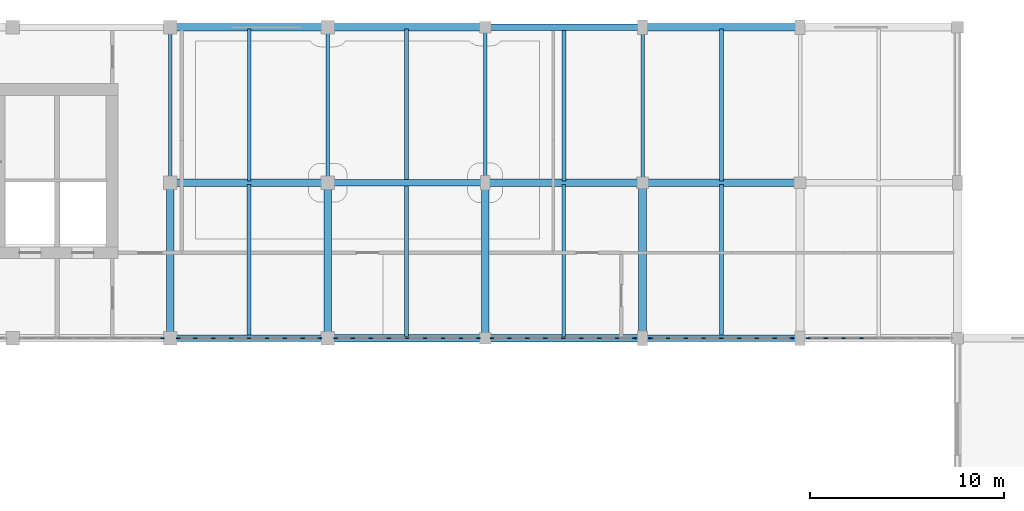
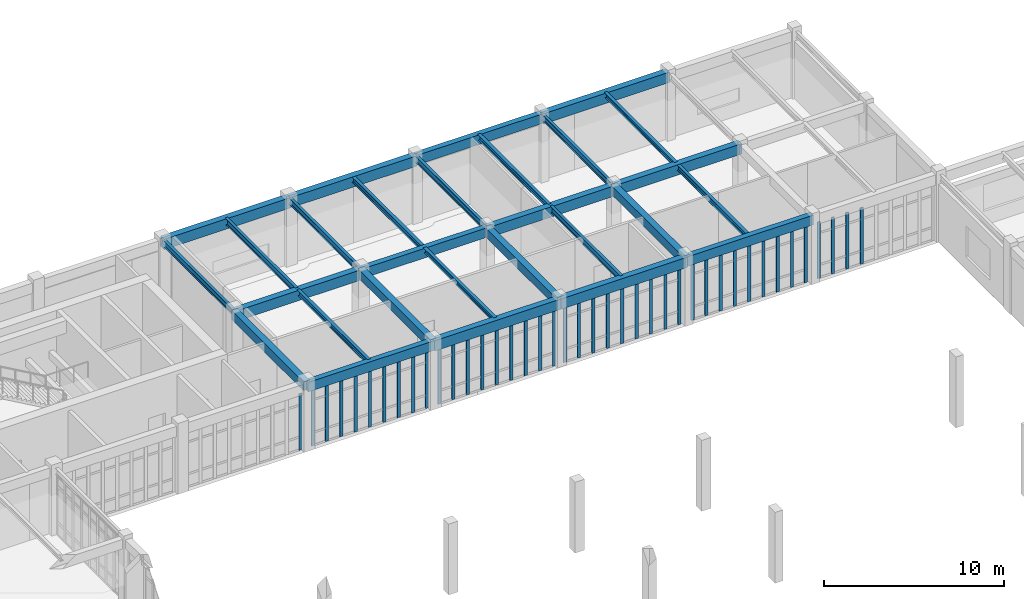
# One storey, part 16 of 61: 41 members, 28 beams, 6 elements without a shape of their own.
"""IFC4 building model written with IfcOpenShell, lengths in metres."""

from ifc_helpers import new_model, si_unit, direction, frame, origin, origin_2d, place, context, subcontext, project, spatial, rectangle, i_section, extrude, material, material_profile, profile_set, type_object, element, aggregate, save


model = new_model("IFC4")

# Units and contexts
model_context = context("Model", 3, precision=1e-05, world=origin(), true_north=direction((0.0, 1.0)))
body_context = subcontext(model_context, "Body", "Model", "MODEL_VIEW")
ifc_project = project(units=[si_unit("LENGTHUNIT", "METRE"), si_unit("AREAUNIT", "SQUARE_METRE"), si_unit("VOLUMEUNIT", "CUBIC_METRE"), si_unit("PLANEANGLEUNIT", "RADIAN"), si_unit("MASSUNIT", "GRAM", prefix="KILO")], contexts=[model_context])

# Site, building, storey
site_placement = place(None, origin())
site = spatial("IfcSite", under=ifc_project, at=site_placement, CompositionType="ELEMENT")
building_placement = place(site_placement, origin())
building = spatial("IfcBuilding", under=site, at=building_placement, Name="Tarnveldt Square Police Headquarters", CompositionType="ELEMENT")
storey_placement = place(building_placement, frame((0.0, 0.0, 5.39990234375)))
storey = spatial("IfcBuildingStorey", under=building, at=storey_placement, Name="L01", CompositionType="ELEMENT", Elevation=5.39990234375)

# Beams
ifc_material_1 = material(Name="Concrete 40 MPa", Category="concrete")
ifc_material_profile_1 = material_profile(ifc_material_1, rectangle(XDim=0.39990234375, YDim=0.60009765625, at=origin_2d()), Name="RC-B400x600")
ifc_profile_set_1 = profile_set([ifc_material_profile_1], Name="Concrete 40 MPa")
beam_type_1 = type_object("IfcBeamType", Name="BM-RC400x600", PredefinedType="BEAM", material=ifc_profile_set_1)
for number, where, z_axis, x_axis, name in (
    (1, (64.800048828125, 96.0, 4.22021484375), (0.0, 1.0, 0.0), (-1.0, 0.0, 0.0), "L02 Grid Girder Y-0629"),
    (2, (72.89990234375, 96.0, 4.22021484375), (0.0, 1.0, 0.0), (-1.0, 0.0, 0.0), "L02 Grid Girder Y-0631"),
    (3, (81.0, 96.0, 4.22021484375), (0.0, 1.0, 0.0), (-1.0, 0.0, 0.0), "L02 Grid Girder Y-0633"),
    (4, (89.10009765625, 96.0, 4.22021484375), (0.0, 1.0, 0.0), (-1.0, 0.0, 0.0), "L02 Grid Girder Y-0635"),
):
    element("IfcBeam", number, at=place(storey_placement, frame(where, z_axis=z_axis, x_axis=x_axis)), inside=storey, type_object=beam_type_1, Name=name, PredefinedType="BEAM", context=body_context, shape_type="SweptSolid", body=[
        extrude(rectangle(XDim=0.39990234375, YDim=0.60009765625, at=origin_2d()), origin(), (0.0, 0.0, 1.0), 8.0),
    ])
ifc_material_profile_2 = material_profile(ifc_material_1, rectangle(XDim=0.39990234375, YDim=0.699951171875, at=origin_2d()), Name="RC-B400x700")
ifc_profile_set_2 = profile_set([ifc_material_profile_2], Name="Concrete 40 MPa")
beam_type_2 = type_object("IfcBeamType", Name="BM-RC400x700", PredefinedType="BEAM", material=ifc_profile_set_2)
for number, where, z_axis, x_axis, name in (
    (5, (72.89990234375, 96.0, 4.170166015625), (1.0, 0.0, 0.0), (0.0, 1.0, 0.0), "L02 Grid Girder X-0542"),
    (6, (81.0, 96.0, 4.170166015625), (1.0, 0.0, 0.0), (0.0, 1.0, 0.0), "L02 Grid Girder X-0543"),
):
    element("IfcBeam", number, at=place(storey_placement, frame(where, z_axis=z_axis, x_axis=x_axis)), inside=storey, type_object=beam_type_2, Name=name, PredefinedType="BEAM", context=body_context, shape_type="SweptSolid", body=[
        extrude(rectangle(XDim=0.39990234375, YDim=0.699951171875, at=origin_2d()), origin(), (0.0, 0.0, 1.0), 8.10009765625),
    ])
beam_1_placement = place(storey_placement, frame((64.800048828125, 104.0, 4.170166015625), z_axis=(1.0, 0.0, 0.0), x_axis=(0.0, 1.0, 0.0)))
element("IfcBeam", 7, at=beam_1_placement, inside=storey, type_object=beam_type_2, Name="L02 Grid Girder X-0549", PredefinedType="BEAM", context=body_context, shape_type="SweptSolid", body=[
    extrude(rectangle(XDim=0.39990234375, YDim=0.699951171875, at=origin_2d()), origin(), (0.0, 0.0, 1.0), 8.099853515625),
])
beam_2_placement = place(storey_placement, frame((81.0, 104.0, 4.170166015625), z_axis=(1.0, 0.0, 0.0), x_axis=(0.0, 1.0, 0.0)))
element("IfcBeam", 8, at=beam_2_placement, inside=storey, type_object=beam_type_2, Name="L02 Grid Girder X-0551", PredefinedType="BEAM", context=body_context, shape_type="SweptSolid", body=[
    extrude(rectangle(XDim=0.39990234375, YDim=0.699951171875, at=origin_2d()), origin(), (0.0, 0.0, 1.0), 8.10009765625),
])
for number, where, z_axis, x_axis, name in (
    (9, (89.10009765625, 104.0, 4.170166015625), (1.0, 0.0, 0.0), (0.0, 1.0, 0.0), "L02 Grid Girder X-0552"),
    (10, (64.800048828125, 112.0, 4.170166015625), (1.0, 0.0, 0.0), (0.0, 1.0, 0.0), "L02 Grid Girder X-0560"),
):
    element("IfcBeam", number, at=place(storey_placement, frame(where, z_axis=z_axis, x_axis=x_axis)), inside=storey, type_object=beam_type_2, Name=name, PredefinedType="BEAM", context=body_context, shape_type="SweptSolid", body=[
        extrude(rectangle(XDim=0.39990234375, YDim=0.699951171875, at=origin_2d()), origin(), (0.0, 0.0, 1.0), 8.099853515625),
    ])
beam_3_placement = place(storey_placement, frame((72.89990234375, 112.0, 4.170166015625), z_axis=(1.0, 0.0, 0.0), x_axis=(0.0, 1.0, 0.0)))
element("IfcBeam", 11, at=beam_3_placement, inside=storey, type_object=beam_type_2, Name="L02 Grid Girder X-0561", PredefinedType="BEAM", context=body_context, shape_type="SweptSolid", body=[
    extrude(rectangle(XDim=0.39990234375, YDim=0.699951171875, at=origin_2d()), origin(), (0.0, 0.0, 1.0), 8.10009765625),
])
beam_4_placement = place(storey_placement, frame((89.10009765625, 112.0, 4.170166015625), z_axis=(1.0, 0.0, 0.0), x_axis=(0.0, 1.0, 0.0)))
element("IfcBeam", 12, at=beam_4_placement, inside=storey, type_object=beam_type_2, Name="L02 Grid Girder X-0563", PredefinedType="BEAM", context=body_context, shape_type="SweptSolid", body=[
    extrude(rectangle(XDim=0.39990234375, YDim=0.699951171875, at=origin_2d()), origin(), (0.0, 0.0, 1.0), 8.099853515625),
])
ifc_material_profile_3 = material_profile(ifc_material_1, rectangle(XDim=0.35009765625, YDim=0.64990234375, at=origin_2d()), Name="RC-SP350x650")
ifc_profile_set_3 = profile_set([ifc_material_profile_3], Name="Concrete 40 MPa")
beam_type_3 = type_object("IfcBeamType", Name="BM-SP350x650", PredefinedType="SPANDREL", material=ifc_profile_set_3)
for number, where, z_axis, x_axis, name in (
    (13, (64.800048828125, 96.0, 4.195068359375), (1.0, 0.0, 0.0), (0.0, 1.0, 0.0), "L02 Grid Girder X-0541"),
    (14, (89.10009765625, 96.0, 4.195068359375), (1.0, 0.0, 0.0), (0.0, 1.0, 0.0), "L02 Grid Girder X-0544"),
):
    element("IfcBeam", number, at=place(storey_placement, frame(where, z_axis=z_axis, x_axis=x_axis)), inside=storey, type_object=beam_type_3, Name=name, PredefinedType="SPANDREL", context=body_context, shape_type="SweptSolid", body=[
        extrude(rectangle(XDim=0.35009765625, YDim=0.64990234375, at=origin_2d()), origin(), (0.0, 0.0, 1.0), 8.099853515625),
    ])
for number, where, z_axis, x_axis, name in (
    (15, (72.89990234375, 104.0, 4.195068359375), (1.0, 0.0, 0.0), (0.0, 1.0, 0.0), "L02 Grid Girder X-0550"),
    (16, (81.0, 112.0, 4.195068359375), (1.0, 0.0, 0.0), (0.0, 1.0, 0.0), "L02 Grid Girder X-0562"),
):
    element("IfcBeam", number, at=place(storey_placement, frame(where, z_axis=z_axis, x_axis=x_axis)), inside=storey, type_object=beam_type_3, Name=name, PredefinedType="SPANDREL", context=body_context, shape_type="SweptSolid", body=[
        extrude(rectangle(XDim=0.35009765625, YDim=0.64990234375, at=origin_2d()), origin(), (0.0, 0.0, 1.0), 8.10009765625),
    ])
ifc_material_2 = material(Name="Steel 350W", Category="steel")
ifc_material_profile_4 = material_profile(ifc_material_2, i_section(OverallWidth=0.202880859375, OverallDepth=0.302978515625, WebThickness=0.007568359375, FlangeThickness=0.01318359375, FilletRadius=0.014892578125, at=origin_2d()), Name="W310x60")
ifc_profile_set_4 = profile_set([ifc_material_profile_4], Name="Steel 350W")
beam_type_4 = type_object("IfcBeamType", Name="BM-W310x60", PredefinedType="JOIST", material=ifc_profile_set_4)
for number, where, z_axis, x_axis, name in (
    (17, (76.949951171875, 96.080078125, 4.36865234375), (0.0, 1.0, 0.0), (-1.0, 0.0, 0.0), "L02 Secondary Floor Joist 0136"),
    (18, (93.14990234375, 104.080078125, 4.36865234375), (0.0, 1.0, 0.0), (-1.0, 0.0, 0.0), "L02 Secondary Floor Joist 0144"),
):
    element("IfcBeam", number, at=place(storey_placement, frame(where, z_axis=z_axis, x_axis=x_axis)), inside=storey, type_object=beam_type_4, Name=name, PredefinedType="JOIST", context=body_context, shape_type="SweptSolid", body=[
        extrude(i_section(OverallWidth=0.202880859375, OverallDepth=0.302978515625, WebThickness=0.007568359375, FlangeThickness=0.01318359375, FilletRadius=0.014892578125, at=origin_2d()), origin(), (0.0, 0.0, 1.0), 7.83984375),
    ])
ifc_material_profile_5 = material_profile(ifc_material_2, i_section(OverallWidth=0.202880859375, OverallDepth=0.346923828125, WebThickness=0.0078125, FlangeThickness=0.013427734375, FilletRadius=0.01611328125, at=origin_2d()), Name="W360x64")
ifc_profile_set_5 = profile_set([ifc_material_profile_5], Name="Steel 350W")
beam_type_5 = type_object("IfcBeamType", Name="BM-W360x64", PredefinedType="JOIST", material=ifc_profile_set_5)
for number, where, z_axis, x_axis, name in (
    (19, (68.85009765625, 96.080078125, 4.3466796875), (0.0, 1.0, 0.0), (-1.0, 0.0, 0.0), "L02 Secondary Floor Joist 0135"),
    (20, (85.050048828125, 104.080078125, 4.3466796875), (0.0, 1.0, 0.0), (-1.0, 0.0, 0.0), "L02 Secondary Floor Joist 0143"),
):
    element("IfcBeam", number, at=place(storey_placement, frame(where, z_axis=z_axis, x_axis=x_axis)), inside=storey, type_object=beam_type_5, Name=name, PredefinedType="JOIST", context=body_context, shape_type="SweptSolid", body=[
        extrude(i_section(OverallWidth=0.202880859375, OverallDepth=0.346923828125, WebThickness=0.0078125, FlangeThickness=0.013427734375, FilletRadius=0.01611328125, at=origin_2d()), origin(), (0.0, 0.0, 1.0), 7.83984375),
    ])
ifc_material_profile_6 = material_profile(ifc_material_2, i_section(OverallWidth=0.205078125, OverallDepth=0.35400390625, WebThickness=0.009521484375, FlangeThickness=0.016845703125, FilletRadius=0.01611328125, at=origin_2d()), Name="W360x79")
ifc_profile_set_6 = profile_set([ifc_material_profile_6], Name="Steel 350W")
beam_type_6 = type_object("IfcBeamType", Name="BM-W360x79", PredefinedType="JOIST", material=ifc_profile_set_6)
for number, where, z_axis, x_axis, name in (
    (21, (93.14990234375, 96.080078125, 4.343017578125), (0.0, 1.0, 0.0), (-1.0, 0.0, 0.0), "L02 Secondary Floor Joist 0138"),
    (22, (76.949951171875, 104.080078125, 4.343017578125), (0.0, 1.0, 0.0), (-1.0, 0.0, 0.0), "L02 Secondary Floor Joist 0142"),
):
    element("IfcBeam", number, at=place(storey_placement, frame(where, z_axis=z_axis, x_axis=x_axis)), inside=storey, type_object=beam_type_6, Name=name, PredefinedType="JOIST", context=body_context, shape_type="SweptSolid", body=[
        extrude(i_section(OverallWidth=0.205078125, OverallDepth=0.35400390625, WebThickness=0.009521484375, FlangeThickness=0.016845703125, FilletRadius=0.01611328125, at=origin_2d()), origin(), (0.0, 0.0, 1.0), 7.83984375),
    ])
ifc_material_profile_7 = material_profile(ifc_material_2, i_section(OverallWidth=0.177978515625, OverallDepth=0.406982421875, WebThickness=0.0078125, FlangeThickness=0.0126953125, FilletRadius=0.01611328125, at=origin_2d()), Name="W410x60")
ifc_profile_set_7 = profile_set([ifc_material_profile_7], Name="Steel 350W")
beam_type_7 = type_object("IfcBeamType", Name="BM-W410x60", PredefinedType="JOIST", material=ifc_profile_set_7)
for number, where, z_axis, x_axis, name in (
    (23, (85.050048828125, 96.080078125, 4.316650390625), (0.0, 1.0, 0.0), (-1.0, 0.0, 0.0), "L02 Secondary Floor Joist 0137"),
    (24, (68.85009765625, 104.080078125, 4.316650390625), (0.0, 1.0, 0.0), (-1.0, 0.0, 0.0), "L02 Secondary Floor Joist 0141"),
):
    element("IfcBeam", number, at=place(storey_placement, frame(where, z_axis=z_axis, x_axis=x_axis)), inside=storey, type_object=beam_type_7, Name=name, PredefinedType="JOIST", context=body_context, shape_type="SweptSolid", body=[
        extrude(i_section(OverallWidth=0.177978515625, OverallDepth=0.406982421875, WebThickness=0.0078125, FlangeThickness=0.0126953125, FilletRadius=0.01611328125, at=origin_2d()), origin(), (0.0, 0.0, 1.0), 7.83984375),
    ])
ifc_material_profile_8 = material_profile(ifc_material_2, i_section(OverallWidth=0.180908203125, OverallDepth=0.4169921875, WebThickness=0.010986328125, FlangeThickness=0.018310546875, FilletRadius=0.01611328125, at=origin_2d()), Name="W410x85")
ifc_profile_set_8 = profile_set([ifc_material_profile_8], Name="Steel 350W")
beam_type_8 = type_object("IfcBeamType", Name="BM-W410x85", PredefinedType="BEAM", material=ifc_profile_set_8)
for number, where, z_axis, x_axis, name in (
    (25, (64.800048828125, 104.0, 4.3115234375), (0.0, 1.0, 0.0), (-1.0, 0.0, 0.0), "L02 Grid Girder Y-0630"),
    (26, (72.89990234375, 104.0, 4.3115234375), (0.0, 1.0, 0.0), (-1.0, 0.0, 0.0), "L02 Grid Girder Y-0632"),
    (27, (81.0, 104.0, 4.3115234375), (0.0, 1.0, 0.0), (-1.0, 0.0, 0.0), "L02 Grid Girder Y-0634"),
    (28, (89.10009765625, 104.0, 4.3115234375), (0.0, 1.0, 0.0), (-1.0, 0.0, 0.0), "L02 Grid Girder Y-0636"),
):
    element("IfcBeam", number, at=place(storey_placement, frame(where, z_axis=z_axis, x_axis=x_axis)), inside=storey, type_object=beam_type_8, Name=name, PredefinedType="BEAM", context=body_context, shape_type="SweptSolid", body=[
        extrude(i_section(OverallWidth=0.180908203125, OverallDepth=0.4169921875, WebThickness=0.010986328125, FlangeThickness=0.018310546875, FilletRadius=0.01611328125, at=origin_2d()), origin(), (0.0, 0.0, 1.0), 8.0),
    ])

# Curtain wall, member
ifc_material_3 = material(Name="Triple-glazed low-e laminated vision glass", Category="glass")
curtain_wall_type_1 = type_object("IfcCurtainWallType", Name="CW-LB-737x381", PredefinedType="USERDEFINED", material=ifc_material_3)
curtain_wall_1_placement = place(storey_placement, origin())
curtain_wall_1 = element("IfcCurtainWall", 29, at=curtain_wall_1_placement, inside=storey, type_object=curtain_wall_type_1, Name="L01 Curtain Wall CW-L01-106", ObjectType="GLAZED CURTAIN WALL", PredefinedType="USERDEFINED")
ifc_material_4 = material(Name="Thermally broken anodised aluminium 6063-T6", Category="aluminium")
ifc_material_profile_9 = material_profile(ifc_material_4, rectangle(XDim=0.074951171875, YDim=0.199951171875, at=origin_2d()), Name="CW-M75x200")
ifc_profile_set_9 = profile_set([ifc_material_profile_9], Name="Thermally broken anodised aluminium 6063-T6")
member_type = type_object("IfcMemberType", Name="CWM-75x200", PredefinedType="MULLION", material=ifc_profile_set_9)
member_1_placement = place(storey_placement, frame((64.3974609375, 96.0, 0.0), z_axis=(0.0, 0.0, 1.0), x_axis=(0.0, 1.0, 0.0)))
member_1 = element("IfcMember", 30, at=member_1_placement, type_object=member_type, Name="CW-LB60 mullion 9", PredefinedType="MULLION", context=body_context, shape_type="SweptSolid", body=[
    extrude(rectangle(XDim=0.074951171875, YDim=0.199951171875, at=origin_2d()), origin(), (0.0, 0.0, 1.0), 3.81201171875),
])
aggregate(curtain_wall_1, [member_1])

# Curtain wall, members
curtain_wall_type_2 = type_object("IfcCurtainWallType", Name="CW-LB-737x386", PredefinedType="USERDEFINED", material=ifc_material_3)
curtain_wall_2_placement = place(storey_placement, origin())
curtain_wall_2 = element("IfcCurtainWall", 31, at=curtain_wall_2_placement, inside=storey, type_object=curtain_wall_type_2, Name="L01 Curtain Wall CW-L01-107", ObjectType="GLAZED CURTAIN WALL", PredefinedType="USERDEFINED")
member_2_placement = place(storey_placement, frame((65.202392578125, 96.0, 0.0), z_axis=(0.0, 0.0, 1.0), x_axis=(0.0, 1.0, 0.0)))
member_2 = element("IfcMember", 32, at=member_2_placement, type_object=member_type, Name="CW-LB61 mullion 1", PredefinedType="MULLION", context=body_context, shape_type="SweptSolid", body=[
    extrude(rectangle(XDim=0.074951171875, YDim=0.199951171875, at=origin_2d()), origin(), (0.0, 0.0, 1.0), 3.862060546875),
])
member_3_placement = place(storey_placement, frame((66.086181640625, 96.0, 0.0), z_axis=(0.0, 0.0, 1.0), x_axis=(0.0, 1.0, 0.0)))
member_3 = element("IfcMember", 33, at=member_3_placement, type_object=member_type, Name="CW-LB61 mullion 2", PredefinedType="MULLION", context=body_context, shape_type="SweptSolid", body=[
    extrude(rectangle(XDim=0.074951171875, YDim=0.199951171875, at=origin_2d()), origin(), (0.0, 0.0, 1.0), 3.862060546875),
])
member_4_placement = place(storey_placement, frame((67.007568359375, 96.0, 0.0), z_axis=(0.0, 0.0, 1.0), x_axis=(0.0, 1.0, 0.0)))
member_4 = element("IfcMember", 34, at=member_4_placement, type_object=member_type, Name="CW-LB61 mullion 3", PredefinedType="MULLION", context=body_context, shape_type="SweptSolid", body=[
    extrude(rectangle(XDim=0.074951171875, YDim=0.199951171875, at=origin_2d()), origin(), (0.0, 0.0, 1.0), 3.862060546875),
])
member_5_placement = place(storey_placement, frame((67.9287109375, 96.0, 0.0), z_axis=(0.0, 0.0, 1.0), x_axis=(0.0, 1.0, 0.0)))
member_5 = element("IfcMember", 35, at=member_5_placement, type_object=member_type, Name="CW-LB61 mullion 4", PredefinedType="MULLION", context=body_context, shape_type="SweptSolid", body=[
    extrude(rectangle(XDim=0.074951171875, YDim=0.199951171875, at=origin_2d()), origin(), (0.0, 0.0, 1.0), 3.862060546875),
])
member_6_placement = place(storey_placement, frame((68.85009765625, 96.0, 0.0), z_axis=(0.0, 0.0, 1.0), x_axis=(0.0, 1.0, 0.0)))
member_6 = element("IfcMember", 36, at=member_6_placement, type_object=member_type, Name="CW-LB61 mullion 5", PredefinedType="MULLION", context=body_context, shape_type="SweptSolid", body=[
    extrude(rectangle(XDim=0.074951171875, YDim=0.199951171875, at=origin_2d()), origin(), (0.0, 0.0, 1.0), 3.862060546875),
])
member_7_placement = place(storey_placement, frame((69.771240234375, 96.0, 0.0), z_axis=(0.0, 0.0, 1.0), x_axis=(0.0, 1.0, 0.0)))
member_7 = element("IfcMember", 37, at=member_7_placement, type_object=member_type, Name="CW-LB61 mullion 6", PredefinedType="MULLION", context=body_context, shape_type="SweptSolid", body=[
    extrude(rectangle(XDim=0.074951171875, YDim=0.199951171875, at=origin_2d()), origin(), (0.0, 0.0, 1.0), 3.862060546875),
])
member_8_placement = place(storey_placement, frame((70.6923828125, 96.0, 0.0), z_axis=(0.0, 0.0, 1.0), x_axis=(0.0, 1.0, 0.0)))
member_8 = element("IfcMember", 38, at=member_8_placement, type_object=member_type, Name="CW-LB61 mullion 7", PredefinedType="MULLION", context=body_context, shape_type="SweptSolid", body=[
    extrude(rectangle(XDim=0.074951171875, YDim=0.199951171875, at=origin_2d()), origin(), (0.0, 0.0, 1.0), 3.862060546875),
])
member_9_placement = place(storey_placement, frame((71.61376953125, 96.0, 0.0), z_axis=(0.0, 0.0, 1.0), x_axis=(0.0, 1.0, 0.0)))
member_9 = element("IfcMember", 39, at=member_9_placement, type_object=member_type, Name="CW-LB61 mullion 8", PredefinedType="MULLION", context=body_context, shape_type="SweptSolid", body=[
    extrude(rectangle(XDim=0.074951171875, YDim=0.199951171875, at=origin_2d()), origin(), (0.0, 0.0, 1.0), 3.862060546875),
])
member_10_placement = place(storey_placement, frame((72.49755859375, 96.0, 0.0), z_axis=(0.0, 0.0, 1.0), x_axis=(0.0, 1.0, 0.0)))
member_10 = element("IfcMember", 40, at=member_10_placement, type_object=member_type, Name="CW-LB61 mullion 9", PredefinedType="MULLION", context=body_context, shape_type="SweptSolid", body=[
    extrude(rectangle(XDim=0.074951171875, YDim=0.199951171875, at=origin_2d()), origin(), (0.0, 0.0, 1.0), 3.862060546875),
])
aggregate(curtain_wall_2, [member_2, member_3, member_4, member_5, member_6, member_7, member_8, member_9, member_10])

curtain_wall_type_3 = type_object("IfcCurtainWallType", Name="CW-LB-742x381", PredefinedType="USERDEFINED", material=ifc_material_3)
curtain_wall_3_placement = place(storey_placement, origin())
curtain_wall_3 = element("IfcCurtainWall", 41, at=curtain_wall_3_placement, inside=storey, type_object=curtain_wall_type_3, Name="L01 Curtain Wall CW-L01-108", ObjectType="GLAZED CURTAIN WALL", PredefinedType="USERDEFINED")
member_11_placement = place(storey_placement, frame((73.302490234375, 96.0, 0.0), z_axis=(0.0, 0.0, 1.0), x_axis=(0.0, 1.0, 0.0)))
member_11 = element("IfcMember", 42, at=member_11_placement, type_object=member_type, Name="CW-LB62 mullion 1", PredefinedType="MULLION", context=body_context, shape_type="SweptSolid", body=[
    extrude(rectangle(XDim=0.074951171875, YDim=0.199951171875, at=origin_2d()), origin(), (0.0, 0.0, 1.0), 3.81201171875),
])
member_12_placement = place(storey_placement, frame((74.1923828125, 96.0, 0.0), z_axis=(0.0, 0.0, 1.0), x_axis=(0.0, 1.0, 0.0)))
member_12 = element("IfcMember", 43, at=member_12_placement, type_object=member_type, Name="CW-LB62 mullion 2", PredefinedType="MULLION", context=body_context, shape_type="SweptSolid", body=[
    extrude(rectangle(XDim=0.074951171875, YDim=0.199951171875, at=origin_2d()), origin(), (0.0, 0.0, 1.0), 3.81201171875),
])
member_13_placement = place(storey_placement, frame((75.1201171875, 96.0, 0.0), z_axis=(0.0, 0.0, 1.0), x_axis=(0.0, 1.0, 0.0)))
member_13 = element("IfcMember", 44, at=member_13_placement, type_object=member_type, Name="CW-LB62 mullion 3", PredefinedType="MULLION", context=body_context, shape_type="SweptSolid", body=[
    extrude(rectangle(XDim=0.074951171875, YDim=0.199951171875, at=origin_2d()), origin(), (0.0, 0.0, 1.0), 3.81201171875),
])
member_14_placement = place(storey_placement, frame((76.047607421875, 96.0, 0.0), z_axis=(0.0, 0.0, 1.0), x_axis=(0.0, 1.0, 0.0)))
member_14 = element("IfcMember", 45, at=member_14_placement, type_object=member_type, Name="CW-LB62 mullion 4", PredefinedType="MULLION", context=body_context, shape_type="SweptSolid", body=[
    extrude(rectangle(XDim=0.074951171875, YDim=0.199951171875, at=origin_2d()), origin(), (0.0, 0.0, 1.0), 3.81201171875),
])
member_15_placement = place(storey_placement, frame((76.97509765625, 96.0, 0.0), z_axis=(0.0, 0.0, 1.0), x_axis=(0.0, 1.0, 0.0)))
member_15 = element("IfcMember", 46, at=member_15_placement, type_object=member_type, Name="CW-LB62 mullion 5", PredefinedType="MULLION", context=body_context, shape_type="SweptSolid", body=[
    extrude(rectangle(XDim=0.074951171875, YDim=0.199951171875, at=origin_2d()), origin(), (0.0, 0.0, 1.0), 3.81201171875),
])
member_16_placement = place(storey_placement, frame((77.902587890625, 96.0, 0.0), z_axis=(0.0, 0.0, 1.0), x_axis=(0.0, 1.0, 0.0)))
member_16 = element("IfcMember", 47, at=member_16_placement, type_object=member_type, Name="CW-LB62 mullion 6", PredefinedType="MULLION", context=body_context, shape_type="SweptSolid", body=[
    extrude(rectangle(XDim=0.074951171875, YDim=0.199951171875, at=origin_2d()), origin(), (0.0, 0.0, 1.0), 3.81201171875),
])
member_17_placement = place(storey_placement, frame((78.830078125, 96.0, 0.0), z_axis=(0.0, 0.0, 1.0), x_axis=(0.0, 1.0, 0.0)))
member_17 = element("IfcMember", 48, at=member_17_placement, type_object=member_type, Name="CW-LB62 mullion 7", PredefinedType="MULLION", context=body_context, shape_type="SweptSolid", body=[
    extrude(rectangle(XDim=0.074951171875, YDim=0.199951171875, at=origin_2d()), origin(), (0.0, 0.0, 1.0), 3.81201171875),
])
member_18_placement = place(storey_placement, frame((79.757568359375, 96.0, 0.0), z_axis=(0.0, 0.0, 1.0), x_axis=(0.0, 1.0, 0.0)))
member_18 = element("IfcMember", 49, at=member_18_placement, type_object=member_type, Name="CW-LB62 mullion 8", PredefinedType="MULLION", context=body_context, shape_type="SweptSolid", body=[
    extrude(rectangle(XDim=0.074951171875, YDim=0.199951171875, at=origin_2d()), origin(), (0.0, 0.0, 1.0), 3.81201171875),
])
member_19_placement = place(storey_placement, frame((80.6474609375, 96.0, 0.0), z_axis=(0.0, 0.0, 1.0), x_axis=(0.0, 1.0, 0.0)))
member_19 = element("IfcMember", 50, at=member_19_placement, type_object=member_type, Name="CW-LB62 mullion 9", PredefinedType="MULLION", context=body_context, shape_type="SweptSolid", body=[
    extrude(rectangle(XDim=0.074951171875, YDim=0.199951171875, at=origin_2d()), origin(), (0.0, 0.0, 1.0), 3.81201171875),
])
aggregate(curtain_wall_3, [member_11, member_12, member_13, member_14, member_15, member_16, member_17, member_18, member_19])

curtain_wall_type_4 = type_object("IfcCurtainWallType", Name="CW-LB-739x381", PredefinedType="USERDEFINED", material=ifc_material_3)
curtain_wall_4_placement = place(storey_placement, origin())
curtain_wall_4 = element("IfcCurtainWall", 51, at=curtain_wall_4_placement, inside=storey, type_object=curtain_wall_type_4, Name="L01 Curtain Wall CW-L01-109", ObjectType="GLAZED CURTAIN WALL", PredefinedType="USERDEFINED")
member_20_placement = place(storey_placement, frame((81.3525390625, 96.0, 0.0), z_axis=(0.0, 0.0, 1.0), x_axis=(0.0, 1.0, 0.0)))
member_20 = element("IfcMember", 52, at=member_20_placement, type_object=member_type, Name="CW-LB63 mullion 1", PredefinedType="MULLION", context=body_context, shape_type="SweptSolid", body=[
    extrude(rectangle(XDim=0.074951171875, YDim=0.199951171875, at=origin_2d()), origin(), (0.0, 0.0, 1.0), 3.81201171875),
])
member_21_placement = place(storey_placement, frame((82.2392578125, 96.0, 0.0), z_axis=(0.0, 0.0, 1.0), x_axis=(0.0, 1.0, 0.0)))
member_21 = element("IfcMember", 53, at=member_21_placement, type_object=member_type, Name="CW-LB63 mullion 2", PredefinedType="MULLION", context=body_context, shape_type="SweptSolid", body=[
    extrude(rectangle(XDim=0.074951171875, YDim=0.199951171875, at=origin_2d()), origin(), (0.0, 0.0, 1.0), 3.81201171875),
])
member_22_placement = place(storey_placement, frame((83.163818359375, 96.0, 0.0), z_axis=(0.0, 0.0, 1.0), x_axis=(0.0, 1.0, 0.0)))
member_22 = element("IfcMember", 54, at=member_22_placement, type_object=member_type, Name="CW-LB63 mullion 3", PredefinedType="MULLION", context=body_context, shape_type="SweptSolid", body=[
    extrude(rectangle(XDim=0.074951171875, YDim=0.199951171875, at=origin_2d()), origin(), (0.0, 0.0, 1.0), 3.81201171875),
])
member_23_placement = place(storey_placement, frame((84.088134765625, 96.0, 0.0), z_axis=(0.0, 0.0, 1.0), x_axis=(0.0, 1.0, 0.0)))
member_23 = element("IfcMember", 55, at=member_23_placement, type_object=member_type, Name="CW-LB63 mullion 4", PredefinedType="MULLION", context=body_context, shape_type="SweptSolid", body=[
    extrude(rectangle(XDim=0.074951171875, YDim=0.199951171875, at=origin_2d()), origin(), (0.0, 0.0, 1.0), 3.81201171875),
])
member_24_placement = place(storey_placement, frame((85.012451171875, 96.0, 0.0), z_axis=(0.0, 0.0, 1.0), x_axis=(0.0, 1.0, 0.0)))
member_24 = element("IfcMember", 56, at=member_24_placement, type_object=member_type, Name="CW-LB63 mullion 5", PredefinedType="MULLION", context=body_context, shape_type="SweptSolid", body=[
    extrude(rectangle(XDim=0.074951171875, YDim=0.199951171875, at=origin_2d()), origin(), (0.0, 0.0, 1.0), 3.81201171875),
])
member_25_placement = place(storey_placement, frame((85.936767578125, 96.0, 0.0), z_axis=(0.0, 0.0, 1.0), x_axis=(0.0, 1.0, 0.0)))
member_25 = element("IfcMember", 57, at=member_25_placement, type_object=member_type, Name="CW-LB63 mullion 6", PredefinedType="MULLION", context=body_context, shape_type="SweptSolid", body=[
    extrude(rectangle(XDim=0.074951171875, YDim=0.199951171875, at=origin_2d()), origin(), (0.0, 0.0, 1.0), 3.81201171875),
])
member_26_placement = place(storey_placement, frame((86.861328125, 96.0, 0.0), z_axis=(0.0, 0.0, 1.0), x_axis=(0.0, 1.0, 0.0)))
member_26 = element("IfcMember", 58, at=member_26_placement, type_object=member_type, Name="CW-LB63 mullion 7", PredefinedType="MULLION", context=body_context, shape_type="SweptSolid", body=[
    extrude(rectangle(XDim=0.074951171875, YDim=0.199951171875, at=origin_2d()), origin(), (0.0, 0.0, 1.0), 3.81201171875),
])
member_27_placement = place(storey_placement, frame((87.78564453125, 96.0, 0.0), z_axis=(0.0, 0.0, 1.0), x_axis=(0.0, 1.0, 0.0)))
member_27 = element("IfcMember", 59, at=member_27_placement, type_object=member_type, Name="CW-LB63 mullion 8", PredefinedType="MULLION", context=body_context, shape_type="SweptSolid", body=[
    extrude(rectangle(XDim=0.074951171875, YDim=0.199951171875, at=origin_2d()), origin(), (0.0, 0.0, 1.0), 3.81201171875),
])
member_28_placement = place(storey_placement, frame((88.672607421875, 96.0, 0.0), z_axis=(0.0, 0.0, 1.0), x_axis=(0.0, 1.0, 0.0)))
member_28 = element("IfcMember", 60, at=member_28_placement, type_object=member_type, Name="CW-LB63 mullion 9", PredefinedType="MULLION", context=body_context, shape_type="SweptSolid", body=[
    extrude(rectangle(XDim=0.074951171875, YDim=0.199951171875, at=origin_2d()), origin(), (0.0, 0.0, 1.0), 3.81201171875),
])
aggregate(curtain_wall_4, [member_20, member_21, member_22, member_23, member_24, member_25, member_26, member_27, member_28])

curtain_wall_type_5 = type_object("IfcCurtainWallType", Name="CW-LB-732x386", PredefinedType="USERDEFINED", material=ifc_material_3)
curtain_wall_5_placement = place(storey_placement, origin())
curtain_wall_5 = element("IfcCurtainWall", 61, at=curtain_wall_5_placement, inside=storey, type_object=curtain_wall_type_5, Name="L01 Curtain Wall CW-L01-110", ObjectType="GLAZED CURTAIN WALL", PredefinedType="USERDEFINED")
member_29_placement = place(storey_placement, frame((89.527587890625, 96.0, 0.0), z_axis=(0.0, 0.0, 1.0), x_axis=(0.0, 1.0, 0.0)))
member_29 = element("IfcMember", 62, at=member_29_placement, type_object=member_type, Name="CW-LB64 mullion 1", PredefinedType="MULLION", context=body_context, shape_type="SweptSolid", body=[
    extrude(rectangle(XDim=0.074951171875, YDim=0.199951171875, at=origin_2d()), origin(), (0.0, 0.0, 1.0), 3.862060546875),
])
member_30_placement = place(storey_placement, frame((90.405029296875, 96.0, 0.0), z_axis=(0.0, 0.0, 1.0), x_axis=(0.0, 1.0, 0.0)))
member_30 = element("IfcMember", 63, at=member_30_placement, type_object=member_type, Name="CW-LB64 mullion 2", PredefinedType="MULLION", context=body_context, shape_type="SweptSolid", body=[
    extrude(rectangle(XDim=0.074951171875, YDim=0.199951171875, at=origin_2d()), origin(), (0.0, 0.0, 1.0), 3.862060546875),
])
member_31_placement = place(storey_placement, frame((91.320068359375, 96.0, 0.0), z_axis=(0.0, 0.0, 1.0), x_axis=(0.0, 1.0, 0.0)))
member_31 = element("IfcMember", 64, at=member_31_placement, type_object=member_type, Name="CW-LB64 mullion 3", PredefinedType="MULLION", context=body_context, shape_type="SweptSolid", body=[
    extrude(rectangle(XDim=0.074951171875, YDim=0.199951171875, at=origin_2d()), origin(), (0.0, 0.0, 1.0), 3.862060546875),
])
member_32_placement = place(storey_placement, frame((92.235107421875, 96.0, 0.0), z_axis=(0.0, 0.0, 1.0), x_axis=(0.0, 1.0, 0.0)))
member_32 = element("IfcMember", 65, at=member_32_placement, type_object=member_type, Name="CW-LB64 mullion 4", PredefinedType="MULLION", context=body_context, shape_type="SweptSolid", body=[
    extrude(rectangle(XDim=0.074951171875, YDim=0.199951171875, at=origin_2d()), origin(), (0.0, 0.0, 1.0), 3.862060546875),
])
member_33_placement = place(storey_placement, frame((93.14990234375, 96.0, 0.0), z_axis=(0.0, 0.0, 1.0), x_axis=(0.0, 1.0, 0.0)))
member_33 = element("IfcMember", 66, at=member_33_placement, type_object=member_type, Name="CW-LB64 mullion 5", PredefinedType="MULLION", context=body_context, shape_type="SweptSolid", body=[
    extrude(rectangle(XDim=0.074951171875, YDim=0.199951171875, at=origin_2d()), origin(), (0.0, 0.0, 1.0), 3.862060546875),
])
member_34_placement = place(storey_placement, frame((94.06494140625, 96.0, 0.0), z_axis=(0.0, 0.0, 1.0), x_axis=(0.0, 1.0, 0.0)))
member_34 = element("IfcMember", 67, at=member_34_placement, type_object=member_type, Name="CW-LB64 mullion 6", PredefinedType="MULLION", context=body_context, shape_type="SweptSolid", body=[
    extrude(rectangle(XDim=0.074951171875, YDim=0.199951171875, at=origin_2d()), origin(), (0.0, 0.0, 1.0), 3.862060546875),
])
member_35_placement = place(storey_placement, frame((94.97998046875, 96.0, 0.0), z_axis=(0.0, 0.0, 1.0), x_axis=(0.0, 1.0, 0.0)))
member_35 = element("IfcMember", 68, at=member_35_placement, type_object=member_type, Name="CW-LB64 mullion 7", PredefinedType="MULLION", context=body_context, shape_type="SweptSolid", body=[
    extrude(rectangle(XDim=0.074951171875, YDim=0.199951171875, at=origin_2d()), origin(), (0.0, 0.0, 1.0), 3.862060546875),
])
member_36_placement = place(storey_placement, frame((95.89501953125, 96.0, 0.0), z_axis=(0.0, 0.0, 1.0), x_axis=(0.0, 1.0, 0.0)))
member_36 = element("IfcMember", 69, at=member_36_placement, type_object=member_type, Name="CW-LB64 mullion 8", PredefinedType="MULLION", context=body_context, shape_type="SweptSolid", body=[
    extrude(rectangle(XDim=0.074951171875, YDim=0.199951171875, at=origin_2d()), origin(), (0.0, 0.0, 1.0), 3.862060546875),
])
member_37_placement = place(storey_placement, frame((96.7724609375, 96.0, 0.0), z_axis=(0.0, 0.0, 1.0), x_axis=(0.0, 1.0, 0.0)))
member_37 = element("IfcMember", 70, at=member_37_placement, type_object=member_type, Name="CW-LB64 mullion 9", PredefinedType="MULLION", context=body_context, shape_type="SweptSolid", body=[
    extrude(rectangle(XDim=0.074951171875, YDim=0.199951171875, at=origin_2d()), origin(), (0.0, 0.0, 1.0), 3.862060546875),
])
aggregate(curtain_wall_5, [member_29, member_30, member_31, member_32, member_33, member_34, member_35, member_36, member_37])

curtain_wall_6_placement = place(storey_placement, origin())
curtain_wall_6 = element("IfcCurtainWall", 71, at=curtain_wall_6_placement, inside=storey, type_object=curtain_wall_type_4, Name="L01 Curtain Wall CW-L01-111", ObjectType="GLAZED CURTAIN WALL", PredefinedType="USERDEFINED")
member_38_placement = place(storey_placement, frame((97.62744140625, 96.0, 0.0), z_axis=(0.0, 0.0, 1.0), x_axis=(0.0, 1.0, 0.0)))
member_38 = element("IfcMember", 72, at=member_38_placement, type_object=member_type, Name="CW-LB63 mullion 1", PredefinedType="MULLION", context=body_context, shape_type="SweptSolid", body=[
    extrude(rectangle(XDim=0.074951171875, YDim=0.199951171875, at=origin_2d()), origin(), (0.0, 0.0, 1.0), 3.81201171875),
])
member_39_placement = place(storey_placement, frame((98.514404296875, 96.0, 0.0), z_axis=(0.0, 0.0, 1.0), x_axis=(0.0, 1.0, 0.0)))
member_39 = element("IfcMember", 73, at=member_39_placement, type_object=member_type, Name="CW-LB63 mullion 2", PredefinedType="MULLION", context=body_context, shape_type="SweptSolid", body=[
    extrude(rectangle(XDim=0.074951171875, YDim=0.199951171875, at=origin_2d()), origin(), (0.0, 0.0, 1.0), 3.81201171875),
])
member_40_placement = place(storey_placement, frame((99.438720703125, 96.0, 0.0), z_axis=(0.0, 0.0, 1.0), x_axis=(0.0, 1.0, 0.0)))
member_40 = element("IfcMember", 74, at=member_40_placement, type_object=member_type, Name="CW-LB63 mullion 3", PredefinedType="MULLION", context=body_context, shape_type="SweptSolid", body=[
    extrude(rectangle(XDim=0.074951171875, YDim=0.199951171875, at=origin_2d()), origin(), (0.0, 0.0, 1.0), 3.81201171875),
])
member_41_placement = place(storey_placement, frame((100.363037109375, 96.0, 0.0), z_axis=(0.0, 0.0, 1.0), x_axis=(0.0, 1.0, 0.0)))
member_41 = element("IfcMember", 75, at=member_41_placement, type_object=member_type, Name="CW-LB63 mullion 4", PredefinedType="MULLION", context=body_context, shape_type="SweptSolid", body=[
    extrude(rectangle(XDim=0.074951171875, YDim=0.199951171875, at=origin_2d()), origin(), (0.0, 0.0, 1.0), 3.81201171875),
])
aggregate(curtain_wall_6, [member_38, member_39, member_40, member_41])

save(model, "model.ifc")
